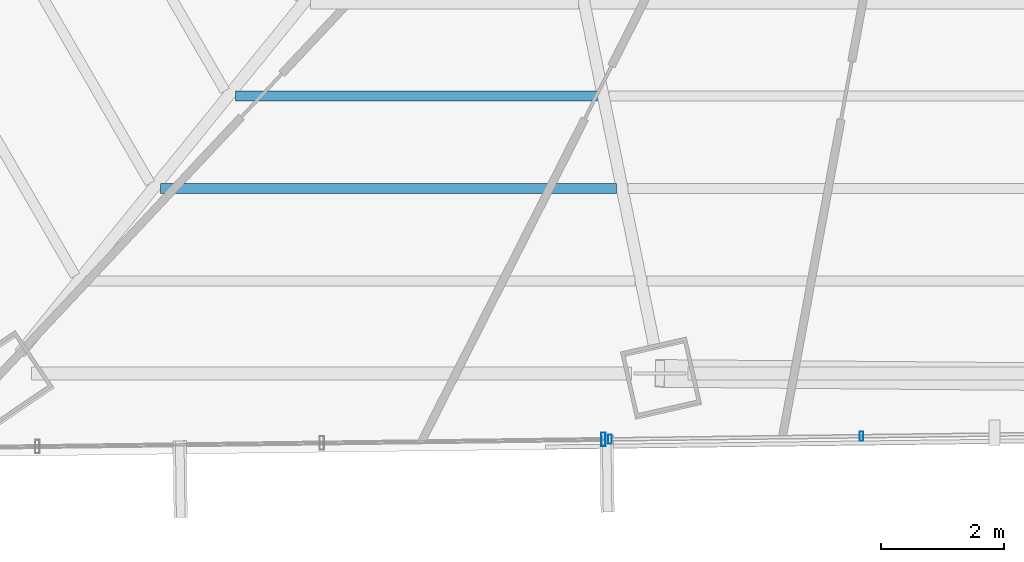
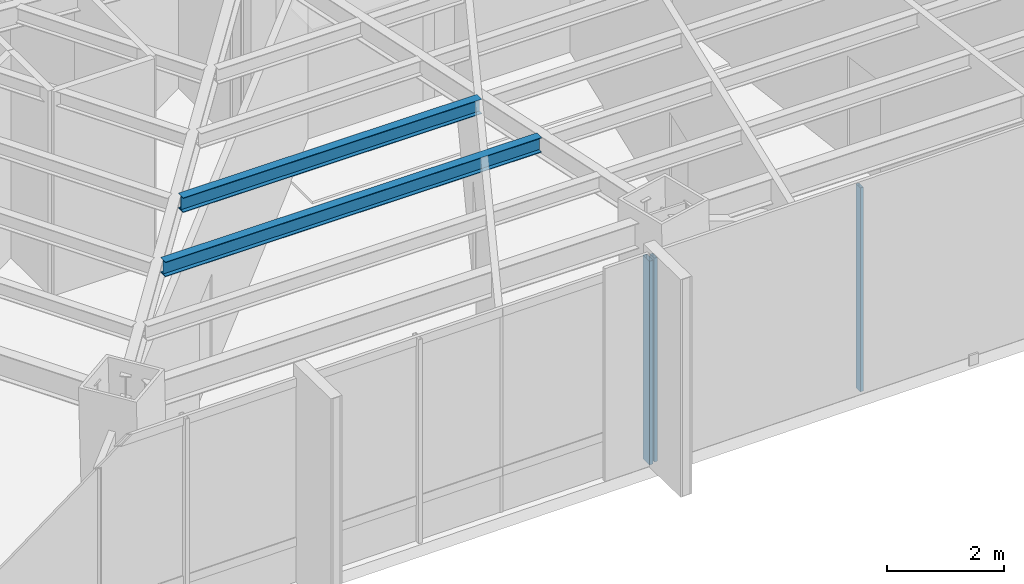
# One storey, part 6 of 37: 3 members, 2 beams, 2 elements without a shape of their own.
"""IFC4 building model written with IfcOpenShell, lengths in metres."""

from ifc_helpers import new_model, si_unit, direction, frame, origin, origin_2d, place, context, subcontext, project, spatial, hollow_rectangle, i_section, extrude, source, transform, mapped, material, material_profile, profile_set, type_object, type_shapes, element, aggregate, save


model = new_model("IFC4")

# Units and contexts
model_context = context("Model", 3, precision=1e-05, world=origin(), true_north=direction((0.0, 1.0)))
body_context = subcontext(model_context, "Body", "Model", "MODEL_VIEW")
ifc_project = project(units=[si_unit("LENGTHUNIT", "METRE"), si_unit("AREAUNIT", "SQUARE_METRE"), si_unit("VOLUMEUNIT", "CUBIC_METRE"), si_unit("PLANEANGLEUNIT", "RADIAN"), si_unit("MASSUNIT", "GRAM", prefix="KILO")], contexts=[model_context])

# Site, building, storey
site_placement = place(None, origin())
site = spatial("IfcSite", under=ifc_project, at=site_placement, CompositionType="ELEMENT")
building_placement = place(site_placement, origin())
building = spatial("IfcBuilding", under=site, at=building_placement, Name="Caelisora Broadcast Tower", CompositionType="ELEMENT")
storey_placement = place(building_placement, frame((0.0, 0.0, 127.300048828125)))
storey = spatial("IfcBuildingStorey", under=building, at=storey_placement, Name="L33", CompositionType="ELEMENT", Elevation=127.300048828125)

# Beams
ifc_material_1 = material(Name="Steel Grade 350 (AS/NZS 3679.1)", Category="steel")
ifc_material_profile_1 = material_profile(ifc_material_1, i_section(OverallWidth=0.166015625, OverallDepth=0.30712890625, WebThickness=0.006591796875, FlangeThickness=0.01171875, at=origin_2d()), Name="Steel Grade 350 (AS/NZS 3679.1)")
ifc_profile_set_1 = profile_set([ifc_material_profile_1], Name="Steel Grade 350 (AS/NZS 3679.1)")
beam_type = type_object("IfcBeamType", Name="SB03", PredefinedType="JOIST", material=ifc_profile_set_1)
shared_shape_1 = source(origin(), body_context, "Body", "SweptSolid", [
    extrude(i_section(OverallWidth=0.166015625, OverallDepth=0.30712890625, WebThickness=0.006591796875, FlangeThickness=0.01171875, at=origin_2d()), origin(), (0.0, 0.0, 1.0), 5.894287109375),
])
beam_1_placement = place(storey_placement, frame((25.742431640625, 11.37939453125, 4.096435546875), z_axis=(1.0, 0.0, 0.0), x_axis=(0.0, 1.0, 0.0)))
element("IfcBeam", 1, at=beam_1_placement, inside=storey, type_object=beam_type, Name="L33 beam SB03", PredefinedType="JOIST", context=body_context, shape_type="MappedRepresentation", body=[
    mapped(shared_shape_1, transform((0.0, 0.0, 0.0), scale=1.0)),
])
shared_shape_2 = source(origin(), body_context, "Body", "SweptSolid", [
    extrude(i_section(OverallWidth=0.166015625, OverallDepth=0.30712890625, WebThickness=0.006591796875, FlangeThickness=0.01171875, at=origin_2d()), origin(), (0.0, 0.0, 1.0), 7.421630859375),
])
type_shapes(beam_type, [shared_shape_1, shared_shape_2])
beam_2_placement = place(storey_placement, frame((24.52294921875, 9.874267578125, 4.096435546875), z_axis=(1.0, 0.0, 0.0), x_axis=(0.0, 1.0, 0.0)))
element("IfcBeam", 2, at=beam_2_placement, inside=storey, type_object=beam_type, Name="L33 beam SB03", PredefinedType="JOIST", context=body_context, shape_type="MappedRepresentation", body=[
    mapped(shared_shape_2, transform((0.0, 0.0, 0.0), scale=1.0)),
])

# Curtain wall, member
ifc_material_2 = material(Name="Unitised Aluminium and Low-E Glass Curtain Wall", Category="glass")
curtain_wall_type_1 = type_object("IfcCurtainWallType", Name="CW-SKY", PredefinedType="NOTDEFINED", material=ifc_material_2)
curtain_wall_1_placement = place(storey_placement, origin())
curtain_wall_1 = element("IfcCurtainWall", 3, at=curtain_wall_1_placement, inside=storey, type_object=curtain_wall_type_1, Name="L33 curtain wall CW-SKY", PredefinedType="NOTDEFINED")
ifc_material_3 = material(Name="Aluminium 6063-T6 Anodised Terracotta Bronze", Category="aluminium")
ifc_material_profile_2 = material_profile(ifc_material_3, hollow_rectangle(XDim=0.074951171875, YDim=0.219970703125, WallThickness=0.00390625, at=origin_2d()), Name="Aluminium 6063-T6 Anodised Terracotta Bronze")
ifc_profile_set_2 = profile_set([ifc_material_profile_2], Name="Aluminium 6063-T6 Anodised Terracotta Bronze")
member_type_1 = type_object("IfcMemberType", Name="CWM-01", PredefinedType="MULLION", material=ifc_profile_set_2)
shared_shape_3 = source(origin(), body_context, "Body", "SweptSolid", [
    extrude(hollow_rectangle(XDim=0.074951171875, YDim=0.219970703125, WallThickness=0.00390625, at=origin_2d()), origin(), (0.0, 0.0, 1.0), 4.25),
])
type_shapes(member_type_1, [shared_shape_3])
member_1_placement = place(storey_placement, frame((31.732421875, 5.78857421875, 0.0), z_axis=(0.0, 0.0, 1.0), x_axis=(1.0, 0.0, 0.0)))
member_1 = element("IfcMember", 4, at=member_1_placement, type_object=member_type_1, Name="L33-CW-B07 mullion #0", PredefinedType="MULLION", context=body_context, shape_type="MappedRepresentation", body=[
    mapped(shared_shape_3, transform((0.0, 0.0, 0.0), scale=1.0)),
])
aggregate(curtain_wall_1, [member_1])

# Curtain wall, members
ifc_material_4 = material(Name="Unitised Aluminium Insulated Shadow-Box Spandrel Curtain Wall", Category="aluminium")
curtain_wall_type_2 = type_object("IfcCurtainWallType", Name="CW-SP2", PredefinedType="NOTDEFINED", material=ifc_material_4)
curtain_wall_2_placement = place(storey_placement, origin())
curtain_wall_2 = element("IfcCurtainWall", 5, at=curtain_wall_2_placement, inside=storey, type_object=curtain_wall_type_2, Name="L33 curtain wall CW-SP2", PredefinedType="NOTDEFINED")
ifc_material_profile_3 = material_profile(ifc_material_3, hollow_rectangle(XDim=0.06005859375, YDim=0.14990234375, WallThickness=0.00341796875, at=origin_2d()), Name="Aluminium 6063-T6 Anodised Terracotta Bronze")
ifc_profile_set_3 = profile_set([ifc_material_profile_3], Name="Aluminium 6063-T6 Anodised Terracotta Bronze")
member_type_2 = type_object("IfcMemberType", Name="CWM-03", PredefinedType="MULLION", material=ifc_profile_set_3)
shared_shape_4 = source(origin(), body_context, "Body", "SweptSolid", [
    extrude(hollow_rectangle(XDim=0.06005859375, YDim=0.14990234375, WallThickness=0.00341796875, at=origin_2d()), origin(), (0.0, 0.0, 1.0), 4.25),
])
type_shapes(member_type_2, [shared_shape_4])
member_2_placement = place(storey_placement, frame((35.938232421875, 5.84130859375, 0.0), z_axis=(0.0, 0.0, 1.0), x_axis=(1.0, 0.0, 0.0)))
member_2 = element("IfcMember", 6, at=member_2_placement, type_object=member_type_2, Name="L33-CW-B06 mullion #2", PredefinedType="MULLION", context=body_context, shape_type="MappedRepresentation", body=[
    mapped(shared_shape_4, transform((0.0, 0.0, 0.0), scale=1.0)),
])
member_3_placement = place(storey_placement, frame((31.84228515625, 5.7900390625, 0.0), z_axis=(0.0, 0.0, 1.0), x_axis=(1.0, 0.0, 0.0)))
member_3 = element("IfcMember", 7, at=member_3_placement, type_object=member_type_2, Name="L33-CW-B06 mullion #3", PredefinedType="MULLION", context=body_context, shape_type="MappedRepresentation", body=[
    mapped(shared_shape_4, transform((0.0, 0.0, 0.0), scale=1.0)),
])
aggregate(curtain_wall_2, [member_2, member_3])

save(model, "model.ifc")
